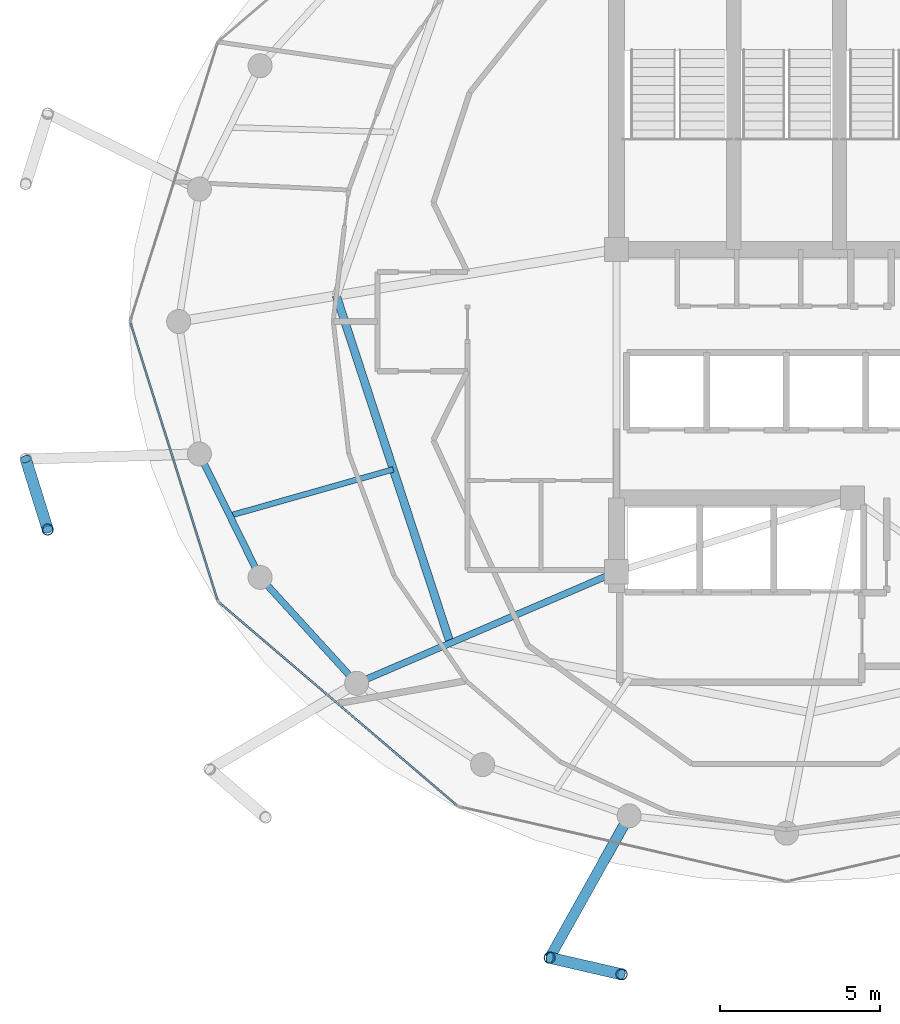
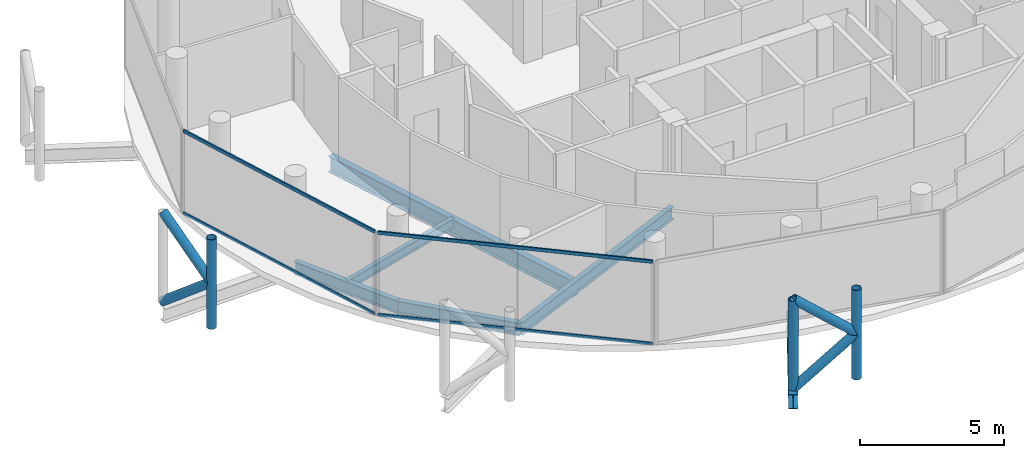
# One storey, part 3 of 24: 11 members, 6 beams, 2 elements without a shape of their own.
"""IFC4 building model written with IfcOpenShell, lengths in metres."""

from ifc_helpers import new_model, si_unit, direction, frame, origin, origin_2d, place, context, subcontext, project, spatial, hollow_rectangle, hollow_circle, i_section, extrude, material, layer, layer_set, material_profile, profile_set, type_object, element, aggregate, save


model = new_model("IFC4")

# Units and contexts
model_context = context("Model", 3, precision=1e-05, world=origin(), true_north=direction((0.0, 1.0)))
body_context = subcontext(model_context, "Body", "Model", "MODEL_VIEW")
ifc_project = project(units=[si_unit("LENGTHUNIT", "METRE"), si_unit("AREAUNIT", "SQUARE_METRE"), si_unit("VOLUMEUNIT", "CUBIC_METRE"), si_unit("PLANEANGLEUNIT", "RADIAN"), si_unit("MASSUNIT", "GRAM", prefix="KILO")], contexts=[model_context])

# Site, building, storey
site_placement = place(None, origin())
site = spatial("IfcSite", under=ifc_project, at=site_placement, CompositionType="ELEMENT")
building_placement = place(site_placement, origin())
building = spatial("IfcBuilding", under=site, at=building_placement, Name="Nuhasar Tower", CompositionType="ELEMENT")
storey_placement = place(building_placement, frame((0.0, 0.0, 263.199951171875)))
storey = spatial("IfcBuildingStorey", under=building, at=storey_placement, Name="L65", CompositionType="ELEMENT", Elevation=263.199951171875)

# Beams
ifc_material_1 = material(Name="Steel S355", Category="steel")
ifc_material_profile_1 = material_profile(ifc_material_1, i_section(OverallWidth=0.25390625, OverallDepth=0.68408203125, WebThickness=0.012451171875, FlangeThickness=0.018798828125, at=origin_2d()), Name="W27X94")
ifc_profile_set_1 = profile_set([ifc_material_profile_1], Name="Steel S355")
beam_type_1 = type_object("IfcBeamType", Name="BM-INRING-W27X94", PredefinedType="BEAM", material=ifc_profile_set_1)
beam_1_placement = place(storey_placement, frame((24.964111328125, 27.610107421875, -0.60205078125), z_axis=(0.311483801376, -0.950251462235, 0.0), x_axis=(0.950251462235, 0.311483801376, 0.0)))
element("IfcBeam", 1, at=beam_1_placement, inside=storey, type_object=beam_type_1, Name="L65 Inner Header Beam 08", PredefinedType="BEAM", context=body_context, shape_type="SweptSolid", body=[
    extrude(i_section(OverallWidth=0.25390625, OverallDepth=0.68408203125, WebThickness=0.012451171875, FlangeThickness=0.018798828125, at=origin_2d()), origin(), (0.0, 0.0, 1.0), 11.403564453125),
])
ifc_material_profile_2 = material_profile(ifc_material_1, i_section(OverallWidth=0.177978515625, OverallDepth=0.406005859375, WebThickness=0.0078125, FlangeThickness=0.0126953125, at=origin_2d()), Name="W16X40")
ifc_profile_set_2 = profile_set([ifc_material_profile_2], Name="Steel S355")
beam_type_2 = type_object("IfcBeamType", Name="BM-JST-W16X40", PredefinedType="JOIST", material=ifc_profile_set_2)
beam_2_placement = place(storey_placement, frame((26.739990234375, 22.19189453125, -0.462890625), z_axis=(-0.962154316042, -0.272505178156, 0.0), x_axis=(0.272505178156, -0.962154316042, 0.0)))
element("IfcBeam", 2, at=beam_2_placement, inside=storey, type_object=beam_type_2, Name="L65 Secondary Floor Joist 08", PredefinedType="JOIST", context=body_context, shape_type="SweptSolid", body=[
    extrude(i_section(OverallWidth=0.177978515625, OverallDepth=0.406005859375, WebThickness=0.0078125, FlangeThickness=0.0126953125, at=origin_2d()), origin(), (0.0, 0.0, 1.0), 5.29833984375),
])
ifc_material_profile_3 = material_profile(ifc_material_1, i_section(OverallWidth=0.208984375, OverallDepth=0.528076171875, WebThickness=0.009521484375, FlangeThickness=0.01318359375, at=origin_2d()), Name="W21X55")
ifc_profile_set_3 = profile_set([ifc_material_profile_3], Name="Steel S355")
beam_type_3 = type_object("IfcBeamType", Name="BM-RAD-W21X55", PredefinedType="BEAM", material=ifc_profile_set_3)
beam_3_placement = place(storey_placement, frame((33.699951171875, 19.0, -0.52392578125), z_axis=(-0.91887119061, -0.394557644797, 0.0), x_axis=(0.394557644797, -0.91887119061, 0.0)))
element("IfcBeam", 3, at=beam_3_placement, inside=storey, type_object=beam_type_3, Name="L65 Radial Floor Girder 01", PredefinedType="BEAM", context=body_context, shape_type="SweptSolid", body=[
    extrude(i_section(OverallWidth=0.208984375, OverallDepth=0.528076171875, WebThickness=0.009521484375, FlangeThickness=0.01318359375, at=origin_2d()), origin(), (0.0, 0.0, 1.0), 8.81494140625),
])
ifc_material_profile_4 = material_profile(ifc_material_1, i_section(OverallWidth=0.2099609375, OverallDepth=0.537109375, WebThickness=0.010986328125, FlangeThickness=0.017333984375, at=origin_2d()), Name="W21X68")
ifc_profile_set_4 = profile_set([ifc_material_profile_4], Name="Steel S355")
beam_type_4 = type_object("IfcBeamType", Name="BM-RING-W21X68", PredefinedType="SPANDREL", material=ifc_profile_set_4)
beam_4_placement = place(storey_placement, frame((20.696044921875, 22.672119140625, -0.529052734375), z_axis=(0.441510561726, -0.897256052576, 0.0), x_axis=(0.897256052576, 0.441510561726, 0.0)))
element("IfcBeam", 4, at=beam_4_placement, inside=storey, type_object=beam_type_4, Name="L65 Perimeter Ring Spandrel 14", PredefinedType="SPANDREL", context=body_context, shape_type="SweptSolid", body=[
    extrude(i_section(OverallWidth=0.2099609375, OverallDepth=0.537109375, WebThickness=0.010986328125, FlangeThickness=0.017333984375, at=origin_2d()), origin(), (0.0, 0.0, 1.0), 4.28759765625),
])
beam_5_placement = place(storey_placement, frame((22.589111328125, 18.824951171875, -0.529052734375), z_axis=(0.673686302939, -0.739017432293, 0.0), x_axis=(0.739017432293, 0.673686302939, 0.0)))
element("IfcBeam", 5, at=beam_5_placement, inside=storey, type_object=beam_type_4, Name="L65 Perimeter Ring Spandrel 15", PredefinedType="SPANDREL", context=body_context, shape_type="SweptSolid", body=[
    extrude(i_section(OverallWidth=0.2099609375, OverallDepth=0.537109375, WebThickness=0.010986328125, FlangeThickness=0.017333984375, at=origin_2d()), origin(), (0.0, 0.0, 1.0), 4.469482421875),
])
ifc_material_profile_5 = material_profile(ifc_material_1, i_section(OverallWidth=0.323974609375, OverallDepth=0.611083984375, WebThickness=0.0126953125, FlangeThickness=0.01904296875, at=origin_2d()), Name="W24X104")
ifc_profile_set_5 = profile_set([ifc_material_profile_5], Name="Steel S355")
beam_type_5 = type_object("IfcBeamType", Name="BM-TIE-W24X104", PredefinedType="BEAM", material=ifc_profile_set_5)
beam_6_placement = place(storey_placement, frame((34.094970703125, 11.39306640625, -0.56494140625), z_axis=(-0.488667847762, -0.872469904675, 0.0), x_axis=(0.872469904675, -0.488667847762, 0.0)))
element("IfcBeam", 6, at=beam_6_placement, inside=storey, type_object=beam_type_5, Name="L65 Exoskeleton Node Tie Beam 09", PredefinedType="BEAM", context=body_context, shape_type="SweptSolid", body=[
    extrude(i_section(OverallWidth=0.323974609375, OverallDepth=0.611083984375, WebThickness=0.0126953125, FlangeThickness=0.01904296875, at=origin_2d()), origin(), (0.0, 0.0, 1.0), 5.072998046875),
])

# Curtain wall, members
ifc_material_2 = material(Name="Aluminium 6063-T6", Category="aluminium")
ifc_layer = layer(ifc_material_2, 0.18994140625)
ifc_layer_set = layer_set([ifc_layer], Name="Aluminium 6063-T6")
curtain_wall_type = type_object("IfcCurtainWallType", Name="CW-Z4-PEN", PredefinedType="NOTDEFINED", material=ifc_layer_set)
curtain_wall_1_placement = place(storey_placement, origin())
curtain_wall_1 = element("IfcCurtainWall", 7, at=curtain_wall_1_placement, inside=storey, type_object=curtain_wall_type, Name="L65 Unitised Curtain Wall 07", PredefinedType="NOTDEFINED")
ifc_material_profile_6 = material_profile(ifc_material_2, hollow_rectangle(XDim=0.06005859375, YDim=0.135009765625, WallThickness=0.00439453125, at=origin_2d()), Name="CWT-5")
ifc_profile_set_6 = profile_set([ifc_material_profile_6], Name="Aluminium 6063-T6")
member_type_1 = type_object("IfcMemberType", Name="CW-TRN-S5", PredefinedType="USERDEFINED", material=ifc_profile_set_6)
member_1_placement = place(storey_placement, frame((18.557861328125, 26.74267578125, 0.030029296875), z_axis=(0.29956014073, -0.954077419335, 0.0), x_axis=(0.954077419335, 0.29956014073, 0.0)))
member_1 = element("IfcMember", 8, at=member_1_placement, type_object=member_type_1, Name="CW-Z4 transom 1.1", ObjectType="TRANSOM", PredefinedType="USERDEFINED", context=body_context, shape_type="SweptSolid", body=[
    extrude(hollow_rectangle(XDim=0.06005859375, YDim=0.135009765625, WallThickness=0.00439453125, at=origin_2d()), origin(), (0.0, 0.0, 1.0), 9.0302734375),
])
member_2_placement = place(storey_placement, frame((18.557861328125, 26.74267578125, 3.510009765625), z_axis=(0.29956014073, -0.954077419335, 0.0), x_axis=(0.954077419335, 0.29956014073, 0.0)))
member_2 = element("IfcMember", 9, at=member_2_placement, type_object=member_type_1, Name="CW-Z4 transom 1.2", ObjectType="TRANSOM", PredefinedType="USERDEFINED", context=body_context, shape_type="SweptSolid", body=[
    extrude(hollow_rectangle(XDim=0.06005859375, YDim=0.135009765625, WallThickness=0.00439453125, at=origin_2d()), origin(), (0.0, 0.0, 1.0), 9.0302734375),
])
aggregate(curtain_wall_1, [member_1, member_2])

curtain_wall_2_placement = place(storey_placement, origin())
curtain_wall_2 = element("IfcCurtainWall", 10, at=curtain_wall_2_placement, inside=storey, type_object=curtain_wall_type, Name="L65 Unitised Curtain Wall 08", PredefinedType="NOTDEFINED")
member_3_placement = place(storey_placement, frame((21.32666015625, 18.031005859375, 0.030029296875), z_axis=(0.760672431431, -0.649135927261, 0.0), x_axis=(0.649135927261, 0.760672431431, 0.0)))
member_3 = element("IfcMember", 11, at=member_3_placement, type_object=member_type_1, Name="CW-Z4 transom 1.1", ObjectType="TRANSOM", PredefinedType="USERDEFINED", context=body_context, shape_type="SweptSolid", body=[
    extrude(hollow_rectangle(XDim=0.06005859375, YDim=0.135009765625, WallThickness=0.00439453125, at=origin_2d()), origin(), (0.0, 0.0, 1.0), 9.72509765625),
])
member_4_placement = place(storey_placement, frame((21.32666015625, 18.031005859375, 3.510009765625), z_axis=(0.760672431431, -0.649135927261, 0.0), x_axis=(0.649135927261, 0.760672431431, 0.0)))
member_4 = element("IfcMember", 12, at=member_4_placement, type_object=member_type_1, Name="CW-Z4 transom 1.2", ObjectType="TRANSOM", PredefinedType="USERDEFINED", context=body_context, shape_type="SweptSolid", body=[
    extrude(hollow_rectangle(XDim=0.06005859375, YDim=0.135009765625, WallThickness=0.00439453125, at=origin_2d()), origin(), (0.0, 0.0, 1.0), 9.72509765625),
])
aggregate(curtain_wall_2, [member_3, member_4])

# Members
ifc_material_3 = material(Name="Steel S460", Category="steel")
ifc_material_profile_7 = material_profile(ifc_material_3, hollow_circle(Radius=0.177734375, WallThickness=0.015869140625, at=origin_2d()), Name="HSS355.6X15.9")
ifc_profile_set_7 = profile_set([ifc_material_profile_7], Name="Steel S460")
member_type_2 = type_object("IfcMemberType", Name="EXO-BRONZE-356", PredefinedType="BRACE", material=ifc_profile_set_7)
for number, where, z_axis, x_axis, name in (
    (13, (15.967041015625, 20.319091796875, 0.0), (0.0, 0.0, 1.0), (1.0, 0.0, 0.0), "L65 Exoskeleton Chord Column EC-07B"),
    (14, (31.615966796875, 6.967041015625, 0.0), (0.0, 0.0, 1.0), (1.0, 0.0, 0.0), "L65 Exoskeleton Chord Column EC-09A"),
    (15, (33.85693359375, 6.450927734375, 0.0), (0.0, 0.0, 1.0), (1.0, 0.0, 0.0), "L65 Exoskeleton Chord Column EC-09B"),
):
    element("IfcMember", number, at=place(storey_placement, frame(where, z_axis=z_axis, x_axis=x_axis)), inside=storey, type_object=member_type_2, Name=name, PredefinedType="BRACE", context=body_context, shape_type="SweptSolid", body=[
        extrude(hollow_circle(Radius=0.177734375, WallThickness=0.015869140625, at=origin_2d()), origin(), (0.0, 0.0, 1.0), 3.800048828125),
    ])
member_5_placement = place(storey_placement, frame((15.281982421875, 22.513916015625, 0.0), z_axis=(0.229669386127, -0.73582600901, 0.637033796232), x_axis=(0.954581948223, 0.297948492404, 0.0)))
element("IfcMember", 16, at=member_5_placement, inside=storey, type_object=member_type_2, Name="L65 Bronze Diagrid Brace W1-07", PredefinedType="BRACE", context=body_context, shape_type="SweptSolid", body=[
    extrude(hollow_circle(Radius=0.177734375, WallThickness=0.015869140625, at=origin_2d()), origin(), (0.0, 0.0, 1.0), 2.98291015625),
])
member_6_placement = place(storey_placement, frame((15.967041015625, 20.319091796875, 1.900146484375), z_axis=(-0.229681361446, 0.735864376122, 0.636985158507), x_axis=(-0.954581948223, -0.297948492404, 0.0)))
element("IfcMember", 17, at=member_6_placement, inside=storey, type_object=member_type_2, Name="L65 Bronze Diagrid Brace W2-07", PredefinedType="BRACE", context=body_context, shape_type="SweptSolid", body=[
    extrude(hollow_circle(Radius=0.177734375, WallThickness=0.015869140625, at=origin_2d()), origin(), (0.0, 0.0, 1.0), 2.982666015625),
])
member_7_placement = place(storey_placement, frame((31.615966796875, 6.967041015625, 0.0), z_axis=(0.751221815951, -0.173012628709, 0.636971281571), x_axis=(0.224433035437, 0.97448951385, 0.0)))
element("IfcMember", 18, at=member_7_placement, inside=storey, type_object=member_type_2, Name="L65 Bronze Diagrid Brace W1-09", PredefinedType="BRACE", context=body_context, shape_type="SweptSolid", body=[
    extrude(hollow_circle(Radius=0.177734375, WallThickness=0.015869140625, at=origin_2d()), origin(), (0.0, 0.0, 1.0), 2.983154296875),
])
member_8_placement = place(storey_placement, frame((33.85693359375, 6.450927734375, 1.900146484375), z_axis=(-0.751260978137, 0.173021648086, 0.636922642103), x_axis=(-0.224433035437, -0.97448951385, 0.0)))
element("IfcMember", 19, at=member_8_placement, inside=storey, type_object=member_type_2, Name="L65 Bronze Diagrid Brace W2-09", PredefinedType="BRACE", context=body_context, shape_type="SweptSolid", body=[
    extrude(hollow_circle(Radius=0.177734375, WallThickness=0.015869140625, at=origin_2d()), origin(), (0.0, 0.0, 1.0), 2.98291015625),
])

save(model, "model.ifc")
